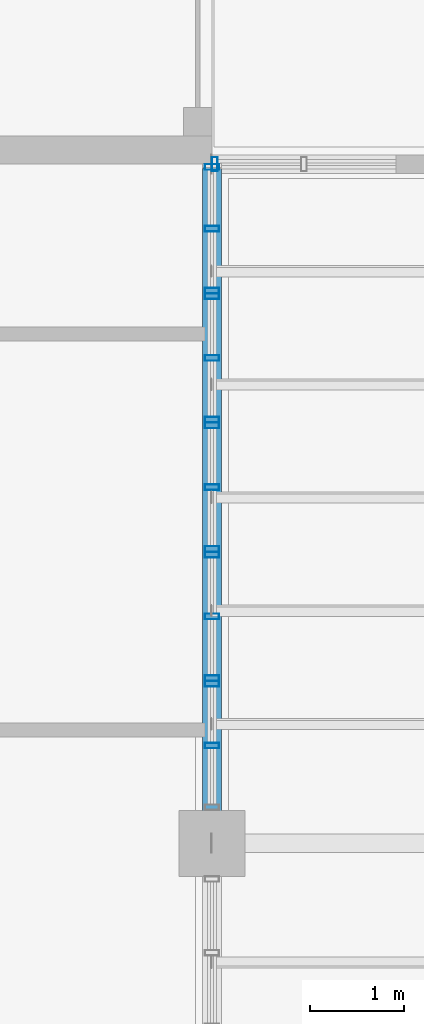
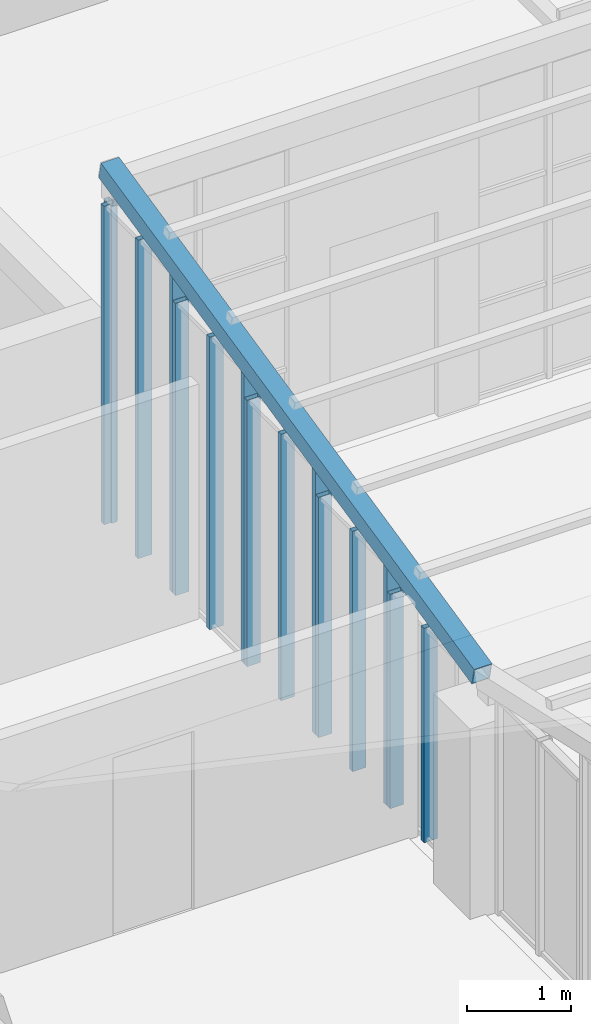
# One storey, part 17 of 51: 16 members, 6 elements without a shape of their own.
"""IFC4 building model written with IfcOpenShell, lengths in metres."""

from ifc_helpers import new_model, si_unit, direction, frame, origin, origin_2d, place, context, subcontext, project, spatial, hollow_rectangle, extrude, material, material_profile, profile_set, type_object, element, aggregate, save


model = new_model("IFC4")

# Units and contexts
model_context = context("Model", 3, precision=1e-05, world=origin(), true_north=direction((0.0, 1.0)))
body_context = subcontext(model_context, "Body", "Model", "MODEL_VIEW")
ifc_project = project(units=[si_unit("LENGTHUNIT", "METRE"), si_unit("AREAUNIT", "SQUARE_METRE"), si_unit("VOLUMEUNIT", "CUBIC_METRE"), si_unit("PLANEANGLEUNIT", "RADIAN"), si_unit("MASSUNIT", "GRAM", prefix="KILO")], contexts=[model_context])

# Site, building, storey
site_placement = place(None, origin())
site = spatial("IfcSite", under=ifc_project, at=site_placement, CompositionType="ELEMENT")
building_placement = place(site_placement, origin())
building = spatial("IfcBuilding", under=site, at=building_placement, Name="Laocheng Heights Fire and Rescue Headquarters", CompositionType="ELEMENT")
storey_placement = place(building_placement, frame((0.0, 0.0, 21.0)))
storey = spatial("IfcBuildingStorey", under=building, at=storey_placement, Name="L05", CompositionType="ELEMENT", Elevation=21.0)

# Curtain wall, members
ifc_material_1 = material(Name="Dark anodised aluminium unitised curtain wall, low-e double glazing", Category="aluminium")
curtain_wall_type_1 = type_object("IfcCurtainWallType", Name="CW 1370 x 2507 CREW LOUNGE END UNIT", PredefinedType="NOTDEFINED", material=ifc_material_1)
curtain_wall_1_placement = place(storey_placement, origin())
curtain_wall_1 = element("IfcCurtainWall", 1, at=curtain_wall_1_placement, inside=storey, type_object=curtain_wall_type_1, Name="X16-W CREW LOUNGE WEST 43 1", PredefinedType="NOTDEFINED")
ifc_material_2 = material(Name="Dark anodised aluminium 6063-T5 extrusion", Category="aluminium")
ifc_material_profile_1 = material_profile(ifc_material_2, hollow_rectangle(XDim=0.14990234375, YDim=0.06005859375, WallThickness=0.0029296875, at=origin_2d()), Name="AL MULLION 150x60x3 CREW LOUNGE END UNIT")
ifc_profile_set_1 = profile_set([ifc_material_profile_1], Name="Dark anodised aluminium 6063-T5 extrusion")
member_type_1 = type_object("IfcMemberType", Name="AL MULLION 150x60x3 CREW LOUNGE END UNIT", PredefinedType="MULLION", material=ifc_profile_set_1)
member_1_placement = place(storey_placement, frame((96.0, 44.235107421875, 0.0), z_axis=(0.0, 0.0, 1.0), x_axis=(-1.0, 0.0, 0.0)))
member_1 = element("IfcMember", 2, at=member_1_placement, type_object=member_type_1, Name="X16-W mullion 2", PredefinedType="MULLION", context=body_context, shape_type="SweptSolid", body=[
    extrude(hollow_rectangle(XDim=0.14990234375, YDim=0.06005859375, WallThickness=0.0029296875, at=origin_2d()), origin(), (0.0, 0.0, 1.0), 2.5068359375),
])
member_2_placement = place(storey_placement, frame((96.0, 44.889892578125, 0.0), z_axis=(0.0, 0.0, 1.0), x_axis=(-1.0, 0.0, 0.0)))
member_2 = element("IfcMember", 3, at=member_2_placement, type_object=member_type_1, Name="X16-W mullion 3", PredefinedType="MULLION", context=body_context, shape_type="SweptSolid", body=[
    extrude(hollow_rectangle(XDim=0.14990234375, YDim=0.06005859375, WallThickness=0.0029296875, at=origin_2d()), origin(), (0.0, 0.0, 1.0), 2.5068359375),
])
aggregate(curtain_wall_1, [member_1, member_2])

ifc_material_3 = material(Name="Dark anodised aluminium unitised curtain wall, low-e double glazing", Category="aluminium")
curtain_wall_type_2 = type_object("IfcCurtainWallType", Name="CW 1370 x 2811 CREW LOUNGE END UNIT", PredefinedType="NOTDEFINED", material=ifc_material_3)
curtain_wall_2_placement = place(storey_placement, origin())
curtain_wall_2 = element("IfcCurtainWall", 4, at=curtain_wall_2_placement, inside=storey, type_object=curtain_wall_type_2, Name="X17-W CREW LOUNGE WEST 43 2", PredefinedType="NOTDEFINED")
member_3_placement = place(storey_placement, frame((96.0, 44.949951171875, 0.0), z_axis=(0.0, 0.0, 1.0), x_axis=(-1.0, 0.0, 0.0)))
member_3 = element("IfcMember", 5, at=member_3_placement, type_object=member_type_1, Name="X17-W mullion 1", PredefinedType="MULLION", context=body_context, shape_type="SweptSolid", body=[
    extrude(hollow_rectangle(XDim=0.14990234375, YDim=0.06005859375, WallThickness=0.0029296875, at=origin_2d()), origin(), (0.0, 0.0, 1.0), 2.811279296875),
])
member_4_placement = place(storey_placement, frame((96.0, 45.60498046875, 0.0), z_axis=(0.0, 0.0, 1.0), x_axis=(-1.0, 0.0, 0.0)))
member_4 = element("IfcMember", 6, at=member_4_placement, type_object=member_type_1, Name="X17-W mullion 2", PredefinedType="MULLION", context=body_context, shape_type="SweptSolid", body=[
    extrude(hollow_rectangle(XDim=0.14990234375, YDim=0.06005859375, WallThickness=0.0029296875, at=origin_2d()), origin(), (0.0, 0.0, 1.0), 2.811279296875),
])
member_5_placement = place(storey_placement, frame((96.0, 46.260009765625, 0.0), z_axis=(0.0, 0.0, 1.0), x_axis=(-1.0, 0.0, 0.0)))
member_5 = element("IfcMember", 7, at=member_5_placement, type_object=member_type_1, Name="X17-W mullion 3", PredefinedType="MULLION", context=body_context, shape_type="SweptSolid", body=[
    extrude(hollow_rectangle(XDim=0.14990234375, YDim=0.06005859375, WallThickness=0.0029296875, at=origin_2d()), origin(), (0.0, 0.0, 1.0), 2.811279296875),
])
aggregate(curtain_wall_2, [member_3, member_4, member_5])

ifc_material_4 = material(Name="Dark anodised aluminium unitised curtain wall, low-e double glazing", Category="aluminium")
curtain_wall_type_3 = type_object("IfcCurtainWallType", Name="CW 1370 x 3116 CREW LOUNGE END UNIT", PredefinedType="NOTDEFINED", material=ifc_material_4)
curtain_wall_3_placement = place(storey_placement, origin())
curtain_wall_3 = element("IfcCurtainWall", 8, at=curtain_wall_3_placement, inside=storey, type_object=curtain_wall_type_3, Name="X18-W CREW LOUNGE WEST 43 3", PredefinedType="NOTDEFINED")
member_6_placement = place(storey_placement, frame((96.0, 46.320068359375, 0.0), z_axis=(0.0, 0.0, 1.0), x_axis=(-1.0, 0.0, 0.0)))
member_6 = element("IfcMember", 9, at=member_6_placement, type_object=member_type_1, Name="X18-W mullion 1", PredefinedType="MULLION", context=body_context, shape_type="SweptSolid", body=[
    extrude(hollow_rectangle(XDim=0.14990234375, YDim=0.06005859375, WallThickness=0.0029296875, at=origin_2d()), origin(), (0.0, 0.0, 1.0), 3.11572265625),
])
member_7_placement = place(storey_placement, frame((96.0, 46.97509765625, 0.0), z_axis=(0.0, 0.0, 1.0), x_axis=(-1.0, 0.0, 0.0)))
member_7 = element("IfcMember", 10, at=member_7_placement, type_object=member_type_1, Name="X18-W mullion 2", PredefinedType="MULLION", context=body_context, shape_type="SweptSolid", body=[
    extrude(hollow_rectangle(XDim=0.14990234375, YDim=0.06005859375, WallThickness=0.0029296875, at=origin_2d()), origin(), (0.0, 0.0, 1.0), 3.11572265625),
])
member_8_placement = place(storey_placement, frame((96.0, 47.6298828125, 0.0), z_axis=(0.0, 0.0, 1.0), x_axis=(-1.0, 0.0, 0.0)))
member_8 = element("IfcMember", 11, at=member_8_placement, type_object=member_type_1, Name="X18-W mullion 3", PredefinedType="MULLION", context=body_context, shape_type="SweptSolid", body=[
    extrude(hollow_rectangle(XDim=0.14990234375, YDim=0.06005859375, WallThickness=0.0029296875, at=origin_2d()), origin(), (0.0, 0.0, 1.0), 3.11572265625),
])
aggregate(curtain_wall_3, [member_6, member_7, member_8])

ifc_material_5 = material(Name="Dark anodised aluminium unitised curtain wall, low-e double glazing", Category="aluminium")
curtain_wall_type_4 = type_object("IfcCurtainWallType", Name="CW 1370 x 3420 CREW LOUNGE END UNIT", PredefinedType="NOTDEFINED", material=ifc_material_5)
curtain_wall_4_placement = place(storey_placement, origin())
curtain_wall_4 = element("IfcCurtainWall", 12, at=curtain_wall_4_placement, inside=storey, type_object=curtain_wall_type_4, Name="X19-W CREW LOUNGE WEST 43 4", PredefinedType="NOTDEFINED")
member_9_placement = place(storey_placement, frame((96.0, 47.68994140625, 0.0), z_axis=(0.0, 0.0, 1.0), x_axis=(-1.0, 0.0, 0.0)))
member_9 = element("IfcMember", 13, at=member_9_placement, type_object=member_type_1, Name="X19-W mullion 1", PredefinedType="MULLION", context=body_context, shape_type="SweptSolid", body=[
    extrude(hollow_rectangle(XDim=0.14990234375, YDim=0.06005859375, WallThickness=0.0029296875, at=origin_2d()), origin(), (0.0, 0.0, 1.0), 3.420166015625),
])
member_10_placement = place(storey_placement, frame((96.0, 48.344970703125, 0.0), z_axis=(0.0, 0.0, 1.0), x_axis=(-1.0, 0.0, 0.0)))
member_10 = element("IfcMember", 14, at=member_10_placement, type_object=member_type_1, Name="X19-W mullion 2", PredefinedType="MULLION", context=body_context, shape_type="SweptSolid", body=[
    extrude(hollow_rectangle(XDim=0.14990234375, YDim=0.06005859375, WallThickness=0.0029296875, at=origin_2d()), origin(), (0.0, 0.0, 1.0), 3.420166015625),
])
member_11_placement = place(storey_placement, frame((96.0, 49.0, 0.0), z_axis=(0.0, 0.0, 1.0), x_axis=(-1.0, 0.0, 0.0)))
member_11 = element("IfcMember", 15, at=member_11_placement, type_object=member_type_1, Name="X19-W mullion 3", PredefinedType="MULLION", context=body_context, shape_type="SweptSolid", body=[
    extrude(hollow_rectangle(XDim=0.14990234375, YDim=0.06005859375, WallThickness=0.0029296875, at=origin_2d()), origin(), (0.0, 0.0, 1.0), 3.420166015625),
])
aggregate(curtain_wall_4, [member_9, member_10, member_11])

ifc_material_6 = material(Name="Dark anodised aluminium unitised curtain wall, low-e double glazing", Category="aluminium")
curtain_wall_type_5 = type_object("IfcCurtainWallType", Name="CW 1370 x 3725 CREW LOUNGE END UNIT", PredefinedType="NOTDEFINED", material=ifc_material_6)
curtain_wall_5_placement = place(storey_placement, origin())
curtain_wall_5 = element("IfcCurtainWall", 16, at=curtain_wall_5_placement, inside=storey, type_object=curtain_wall_type_5, Name="X20-W CREW LOUNGE WEST 43 5", PredefinedType="NOTDEFINED")
member_12_placement = place(storey_placement, frame((96.0, 49.06005859375, 0.0), z_axis=(0.0, 0.0, 1.0), x_axis=(-1.0, 0.0, 0.0)))
member_12 = element("IfcMember", 17, at=member_12_placement, type_object=member_type_1, Name="X20-W mullion 1", PredefinedType="MULLION", context=body_context, shape_type="SweptSolid", body=[
    extrude(hollow_rectangle(XDim=0.14990234375, YDim=0.06005859375, WallThickness=0.0029296875, at=origin_2d()), origin(), (0.0, 0.0, 1.0), 3.724609375),
])
member_13_placement = place(storey_placement, frame((96.0, 49.715087890625, 0.0), z_axis=(0.0, 0.0, 1.0), x_axis=(-1.0, 0.0, 0.0)))
member_13 = element("IfcMember", 18, at=member_13_placement, type_object=member_type_1, Name="X20-W mullion 2", PredefinedType="MULLION", context=body_context, shape_type="SweptSolid", body=[
    extrude(hollow_rectangle(XDim=0.14990234375, YDim=0.06005859375, WallThickness=0.0029296875, at=origin_2d()), origin(), (0.0, 0.0, 1.0), 3.724609375),
])
member_14_placement = place(storey_placement, frame((96.0, 50.3701171875, 0.0), z_axis=(0.0, 0.0, 1.0), x_axis=(-1.0, 0.0, 0.0)))
member_14 = element("IfcMember", 19, at=member_14_placement, type_object=member_type_1, Name="X20-W mullion 3", PredefinedType="MULLION", context=body_context, shape_type="SweptSolid", body=[
    extrude(hollow_rectangle(XDim=0.14990234375, YDim=0.06005859375, WallThickness=0.0029296875, at=origin_2d()), origin(), (0.0, 0.0, 1.0), 3.724609375),
])
aggregate(curtain_wall_5, [member_12, member_13, member_14])

# Curtain wall, member
ifc_material_7 = material(Name="Dark anodised aluminium unitised curtain wall, low-e double glazing", Category="aluminium")
curtain_wall_type_6 = type_object("IfcCurtainWallType", Name="CW 1950 x 3714 CREW ROOF LOUNGE GLAZING", PredefinedType="NOTDEFINED", material=ifc_material_7)
curtain_wall_6_placement = place(storey_placement, origin())
curtain_wall_6 = element("IfcCurtainWall", 20, at=curtain_wall_6_placement, inside=storey, type_object=curtain_wall_type_6, Name="X10-W CREW LOUNGE NORTH L05", PredefinedType="NOTDEFINED")
ifc_material_8 = material(Name="Dark anodised aluminium 6063-T5 extrusion", Category="aluminium")
ifc_material_profile_2 = material_profile(ifc_material_8, hollow_rectangle(XDim=0.14990234375, YDim=0.06005859375, WallThickness=0.0029296875, at=origin_2d()), Name="AL MULLION 150x60x3 CREW ROOF LOUNGE GLAZING")
ifc_profile_set_2 = profile_set([ifc_material_profile_2], Name="Dark anodised aluminium 6063-T5 extrusion")
member_type_2 = type_object("IfcMemberType", Name="AL MULLION 150x60x3 CREW ROOF LOUNGE GLAZING", PredefinedType="MULLION", material=ifc_profile_set_2)
member_15_placement = place(storey_placement, frame((96.030029296875, 50.39990234375, 0.0), z_axis=(0.0, 0.0, 1.0), x_axis=(0.0, 1.0, 0.0)))
member_15 = element("IfcMember", 21, at=member_15_placement, type_object=member_type_2, Name="X10-W mullion 1", PredefinedType="MULLION", context=body_context, shape_type="SweptSolid", body=[
    extrude(hollow_rectangle(XDim=0.14990234375, YDim=0.06005859375, WallThickness=0.0029296875, at=origin_2d()), origin(), (0.0, 0.0, 1.0), 3.71435546875),
])
aggregate(curtain_wall_6, [member_15])

# Member
ifc_material_9 = material(Name="Steel Q355B", Category="steel")
ifc_material_profile_3 = material_profile(ifc_material_9, hollow_rectangle(XDim=0.199951171875, YDim=0.199951171875, WallThickness=0.008056640625, at=origin_2d()), Name="SHS 200x200x8")
ifc_profile_set_3 = profile_set([ifc_material_profile_3], Name="Steel Q355B")
member_type_3 = type_object("IfcMemberType", Name="SHS 200x200x8 RAFTER", PredefinedType="RAFTER", material=ifc_profile_set_3)
member_16_placement = place(storey_placement, frame((96.0, 50.37841796875, 4.13427734375), z_axis=(0.0, -0.976187060184, -0.216930457819), x_axis=(1.0, 0.0, 0.0)))
element("IfcMember", 22, at=member_16_placement, inside=storey, type_object=member_type_3, Name="Butterfly rafter N 96", PredefinedType="RAFTER", context=body_context, shape_type="SweptSolid", body=[
    extrude(hollow_rectangle(XDim=0.199951171875, YDim=0.199951171875, WallThickness=0.008056640625, at=origin_2d()), origin(), (0.0, 0.0, 1.0), 7.32666015625),
])

save(model, "model.ifc")
